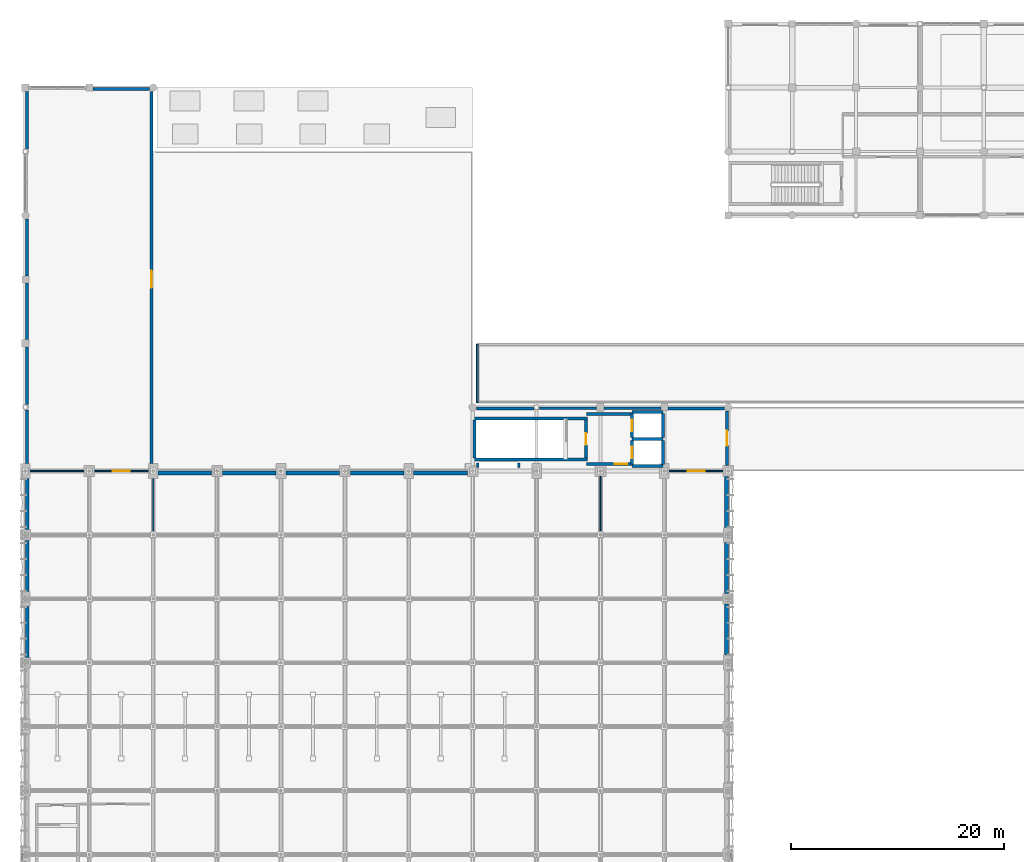
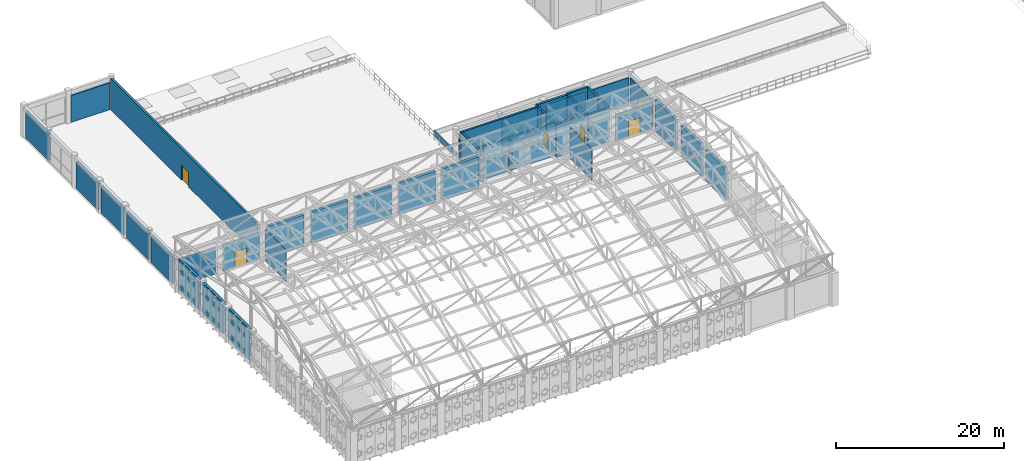
# One storey, part 93 of 112: 44 walls, 8 doors, 8 openings.
"""IFC4 building model written with IfcOpenShell, lengths in metres."""

from ifc_helpers import new_model, si_unit, direction, frame, frame_2d, origin, place, context, subcontext, project, spatial, rectangle, extrude, material, layer, layer_set, type_object, element, fill, save


model = new_model("IFC4")

# Units and contexts
model_context = context("Model", 3, precision=1e-05, world=origin(), true_north=direction((0.0, 1.0)))
body_context = subcontext(model_context, "Body", "Model", "MODEL_VIEW")
ifc_project = project(units=[si_unit("LENGTHUNIT", "METRE"), si_unit("AREAUNIT", "SQUARE_METRE"), si_unit("VOLUMEUNIT", "CUBIC_METRE"), si_unit("PLANEANGLEUNIT", "RADIAN"), si_unit("MASSUNIT", "GRAM", prefix="KILO"), si_unit("THERMODYNAMICTEMPERATUREUNIT", "KELVIN"), si_unit("POWERUNIT", "WATT")], contexts=[model_context])

# Site, building, storey
site_placement = place(None, origin())
site = spatial("IfcSite", under=ifc_project, at=site_placement, CompositionType="ELEMENT")
building_placement = place(site_placement, origin())
building = spatial("IfcBuilding", under=site, at=building_placement, Name="Phaisarnlok Congress Hotel", CompositionType="ELEMENT")
storey_placement = place(building_placement, frame((0.0, 0.0, 19.800048828125)))
storey = spatial("IfcBuildingStorey", under=building, at=storey_placement, Name="L04", CompositionType="ELEMENT", Elevation=19.800048828125)

# Walls
ifc_material_1 = material(Name="Concrete C40/50", Category="concrete")
ifc_layer_1 = layer(ifc_material_1, 0.2099609375, Name="Concrete C40/50")
ifc_layer_set_1 = layer_set([ifc_layer_1], Name="Concrete C40/50")
wall_type_1 = type_object("IfcWallType", Name="WL-EXT-210", PredefinedType="SOLIDWALL", material=ifc_layer_set_1)
wall_1_placement = place(storey_placement, frame((53.64501953125, 89.89501953125, 0.0), z_axis=(0.0, 0.0, 1.0), x_axis=(-1.0, 0.0, 0.0)))
element("IfcWall", 1, at=wall_1_placement, inside=storey, type_object=wall_type_1, Name="Exterior wall EW-07 (L04)", PredefinedType="SOLIDWALL", context=body_context, shape_type="SweptSolid", body=[
    extrude(rectangle(XDim=5.385986328125, YDim=0.2099609375, at=frame_2d((2.69287109375, 0.0))), origin(), (0.0, 0.0, 1.0), 3.909912109375),
])
ifc_layer_2 = layer(ifc_material_1, 0.22998046875, Name="Concrete C40/50")
ifc_layer_set_2 = layer_set([ifc_layer_2], Name="Concrete C40/50")
wall_type_2 = type_object("IfcWallType", Name="WL-EXT-230", PredefinedType="SOLIDWALL", material=ifc_layer_set_2)
wall_2_placement = place(storey_placement, frame((59.669921875, 89.885009765625, 0.0), z_axis=(0.0, 0.0, 1.0), x_axis=(-1.0, 0.0, 0.0)))
element("IfcWall", 2, at=wall_2_placement, inside=storey, type_object=wall_type_2, Name="Exterior wall EW-06 (L04)", PredefinedType="SOLIDWALL", context=body_context, shape_type="SweptSolid", body=[
    extrude(rectangle(XDim=5.31494140625, YDim=0.22998046875, at=frame_2d((2.657470703125, 0.0))), origin(), (0.0, 0.0, 1.0), 3.909912109375),
])
ifc_layer_3 = layer(ifc_material_1, 0.25, Name="Concrete C40/50")
ifc_layer_set_3 = layer_set([ifc_layer_3], Name="Concrete C40/50")
wall_type_3 = type_object("IfcWallType", Name="WL-EXT-250", PredefinedType="SOLIDWALL", material=ifc_layer_set_3)
wall_3_placement = place(storey_placement, frame((65.64501953125, 89.875, 0.0), z_axis=(0.0, 0.0, 1.0), x_axis=(-1.0, 0.0, 0.0)))
element("IfcWall", 3, at=wall_3_placement, inside=storey, type_object=wall_type_3, Name="Exterior wall EW-05 (L04)", PredefinedType="SOLIDWALL", context=body_context, shape_type="SweptSolid", body=[
    extrude(rectangle(XDim=5.31494140625, YDim=0.25, at=frame_2d((2.657470703125, 0.0))), origin(), (0.0, 0.0, 1.0), 3.909912109375),
])

# Wall, opening, door
ifc_layer_4 = layer(ifc_material_1, 0.27001953125, Name="Concrete C40/50")
ifc_layer_set_4 = layer_set([ifc_layer_4], Name="Concrete C40/50")
wall_type_4 = type_object("IfcWallType", Name="WL-EXT-270", PredefinedType="SOLIDWALL", material=ifc_layer_set_4)
wall_4_placement = place(storey_placement, frame((65.864990234375, 84.5048828125, 0.0), z_axis=(0.0, 0.0, 1.0), x_axis=(0.0, 1.0, 0.0)))
wall_4 = element("IfcWall", 4, at=wall_4_placement, inside=storey, type_object=wall_type_4, Name="Exterior wall EW-04 (L04)", PredefinedType="SOLIDWALL", context=body_context, shape_type="SweptSolid", body=[
    extrude(rectangle(XDim=5.14013671875, YDim=0.27001953125, at=frame_2d((2.570068359375, 0.0))), origin(), (0.0, 0.0, 1.0), 3.909912109375),
])
opening_1_placement = place(wall_4_placement, frame((1.8701171875, 0.0, 0.0)))
opening_1 = element("IfcOpeningElement", 5, at=opening_1_placement, cuts=wall_4, Name="Opening TD-07", PredefinedType="OPENING", context=body_context, shape_type="SweptSolid", body=[
    extrude(rectangle(XDim=1.39990234375, YDim=2.10009765625, at=frame_2d((0.699951171875, 1.050048828125))), frame((0.0, 0.14501953125, 0.0), z_axis=(0.0, -1.0, 0.0), x_axis=(1.0, 0.0, 0.0)), (0.0, 0.0, 1.0), 0.2900390625),
])
ifc_material_2 = material(Name="Powder-Coated Steel & Laminated Safety Glass", Category="steel")
door_type_1 = type_object("IfcDoorType", Name="DR-TER-1400", OperationType="NOTDEFINED", PredefinedType="DOOR", material=ifc_material_2)
door_1_placement = place(opening_1_placement, frame((1.39990234375, 0.0, 0.0), z_axis=(0.0, 0.0, 1.0), x_axis=(-1.0, 0.0, 0.0)))
door_1 = element("IfcDoor", 6, at=door_1_placement, inside=storey, type_object=door_type_1, Name="Outdoor terrace door TD-07 (L04)", OperationType="SINGLE_SWING_RIGHT", OverallHeight=2.10009765625, OverallWidth=1.39990234375, PredefinedType="DOOR", context=body_context, shape_type="SweptSolid", body=[
    extrude(rectangle(XDim=1.39990234375, YDim=2.10009765625, at=frame_2d((0.699951171875, 1.050048828125))), frame((0.0, 0.02490234375, 0.0), z_axis=(0.0, -1.0, 0.0), x_axis=(1.0, 0.0, 0.0)), (0.0, 0.0, 1.0), 0.050048828125),
])
fill(opening_1, door_1)

# Wall
wall_5_placement = place(storey_placement, frame((47.740966796875, 89.864990234375, 0.0), z_axis=(0.0, 0.0, 1.0), x_axis=(-1.0, 0.0, 0.0)))
element("IfcWall", 7, at=wall_5_placement, inside=storey, type_object=wall_type_4, Name="Exterior wall EW-04 (L04)", PredefinedType="SOLIDWALL", context=body_context, shape_type="SweptSolid", body=[
    extrude(rectangle(XDim=5.385986328125, YDim=0.27001953125, at=frame_2d((2.69287109375, 0.0))), origin(), (0.0, 0.0, 1.0), 3.909912109375),
])

# Wall, opening, door
ifc_layer_5 = layer(ifc_material_1, 0.2900390625, Name="Concrete C40/50")
ifc_layer_set_5 = layer_set([ifc_layer_5], Name="Concrete C40/50")
wall_type_5 = type_object("IfcWallType", Name="WL-EXT-290", PredefinedType="SOLIDWALL", material=ifc_layer_set_5)
wall_6_placement = place(storey_placement, frame((11.85498046875, 84.705078125, 0.0), z_axis=(0.0, 0.0, 1.0), x_axis=(0.0, 1.0, 0.0)))
wall_6 = element("IfcWall", 8, at=wall_6_placement, inside=storey, type_object=wall_type_5, Name="Exterior wall EW-03 (L04)", PredefinedType="SOLIDWALL", context=body_context, shape_type="SweptSolid", body=[
    extrude(rectangle(XDim=34.93994140625, YDim=0.2900390625, at=frame_2d((17.469970703125, 0.0))), origin(), (0.0, 0.0, 1.0), 4.550048828125),
])
opening_2_placement = place(wall_6_placement, frame((16.4951171875, 0.0, 0.0)))
opening_2 = element("IfcOpeningElement", 9, at=opening_2_placement, cuts=wall_6, Name="Opening TD-06", PredefinedType="OPENING", context=body_context, shape_type="SweptSolid", body=[
    extrude(rectangle(XDim=1.60009765625, YDim=2.14990234375, at=frame_2d((0.800048828125, 1.074951171875))), frame((0.0, 0.155029296875, 0.0), z_axis=(0.0, -1.0, 0.0), x_axis=(1.0, 0.0, 0.0)), (0.0, 0.0, 1.0), 0.31005859375),
])
door_type_2 = type_object("IfcDoorType", Name="DR-TER-1600", OperationType="DOUBLE_DOOR_SINGLE_SWING", PredefinedType="DOOR", material=ifc_material_2)
door_2_placement = place(opening_2_placement, frame((1.60009765625, 0.0, 0.0), z_axis=(0.0, 0.0, 1.0), x_axis=(-1.0, 0.0, 0.0)))
door_2 = element("IfcDoor", 10, at=door_2_placement, inside=storey, type_object=door_type_2, Name="Outdoor terrace door TD-06 (L04)", OperationType="SINGLE_SWING_LEFT", OverallHeight=2.14990234375, OverallWidth=1.60009765625, PredefinedType="DOOR", context=body_context, shape_type="SweptSolid", body=[
    extrude(rectangle(XDim=1.60009765625, YDim=2.14990234375, at=frame_2d((0.800048828125, 1.074951171875))), frame((0.0, 0.02490234375, 0.0), z_axis=(0.0, -1.0, 0.0), x_axis=(1.0, 0.0, 0.0)), (0.0, 0.0, 1.0), 0.050048828125),
])
fill(opening_2, door_2)

# Walls
wall_7_placement = place(storey_placement, frame((11.64501953125, 119.85498046875, 0.0), z_axis=(0.0, 0.0, 1.0), x_axis=(-1.0, 0.0, 0.0)))
element("IfcWall", 11, at=wall_7_placement, inside=storey, type_object=wall_type_5, Name="Exterior wall EW-03 (L04)", PredefinedType="SOLIDWALL", context=body_context, shape_type="SweptSolid", body=[
    extrude(rectangle(XDim=5.31494140625, YDim=0.2900390625, at=frame_2d((2.657470703125, 0.0))), origin(), (0.0, 0.0, 1.0), 3.909912109375),
])
wall_8_placement = place(storey_placement, frame((0.14501953125, 119.64501953125, 0.0), z_axis=(0.0, 0.0, 1.0), x_axis=(0.0, -1.0, 0.0)))
element("IfcWall", 12, at=wall_8_placement, inside=storey, type_object=wall_type_5, Name="Exterior wall EW-03 (L04)", PredefinedType="SOLIDWALL", context=body_context, shape_type="SweptSolid", body=[
    extrude(rectangle(XDim=5.385986328125, YDim=0.2900390625, at=frame_2d((2.69287109375, 0.0))), origin(), (0.0, 0.0, 1.0), 3.909912109375),
])
for number, where, z_axis, x_axis, name in (
    (13, (0.14501953125, 107.64501953125, 0.0), (0.0, 0.0, 1.0), (0.0, -1.0, 0.0), "Exterior wall EW-03 (L04)"),
    (14, (0.14501953125, 101.669921875, 0.0), (0.0, 0.0, 1.0), (0.0, -1.0, 0.0), "Exterior wall EW-03 (L04)"),
):
    element("IfcWall", number, at=place(storey_placement, frame(where, z_axis=z_axis, x_axis=x_axis)), inside=storey, type_object=wall_type_5, Name=name, PredefinedType="SOLIDWALL", context=body_context, shape_type="SweptSolid", body=[
        extrude(rectangle(XDim=5.31494140625, YDim=0.2900390625, at=frame_2d((2.657470703125, 0.0))), origin(), (0.0, 0.0, 1.0), 3.909912109375),
    ])
wall_9_placement = place(storey_placement, frame((0.14501953125, 95.64501953125, 0.0), z_axis=(0.0, 0.0, 1.0), x_axis=(0.0, -1.0, 0.0)))
element("IfcWall", 15, at=wall_9_placement, inside=storey, type_object=wall_type_5, Name="Exterior wall EW-03 (L04)", PredefinedType="SOLIDWALL", context=body_context, shape_type="SweptSolid", body=[
    extrude(rectangle(XDim=5.385986328125, YDim=0.2900390625, at=frame_2d((2.69287109375, 0.0))), origin(), (0.0, 0.0, 1.0), 3.909912109375),
])
wall_10_placement = place(storey_placement, frame((0.14501953125, 89.740966796875, 0.0), z_axis=(0.0, 0.0, 1.0), x_axis=(0.0, -1.0, 0.0)))
element("IfcWall", 16, at=wall_10_placement, inside=storey, type_object=wall_type_5, Name="Exterior wall EW-03 (L04)", PredefinedType="SOLIDWALL", context=body_context, shape_type="SweptSolid", body=[
    extrude(rectangle(XDim=5.035888671875, YDim=0.2900390625, at=frame_2d((2.51806640625, 0.0))), origin(), (0.0, 0.0, 1.0), 3.909912109375),
])
ifc_layer_6 = layer(ifc_material_1, 0.360107421875, Name="Concrete C40/50")
ifc_layer_set_6 = layer_set([ifc_layer_6], Name="Concrete C40/50")
wall_type_6 = type_object("IfcWallType", Name="WL-EXT-360", PredefinedType="SOLIDWALL", material=ifc_layer_set_6)
for number, where, z_axis, x_axis, name in (
    (17, (65.820068359375, 66.705078125, 0.0), (0.0, 0.0, 1.0), (0.0, 1.0, 0.0), "Exterior wall EW-01 (L04)"),
    (18, (65.820068359375, 72.5048828125, 0.0), (0.0, 0.0, 1.0), (0.0, 1.0, 0.0), "Exterior wall EW-01 (L04)"),
    (19, (65.820068359375, 78.705078125, 0.0), (0.0, 0.0, 1.0), (0.0, 1.0, 0.0), "Exterior wall EW-01 (L04)"),
):
    element("IfcWall", number, at=place(storey_placement, frame(where, z_axis=z_axis, x_axis=x_axis)), inside=storey, type_object=wall_type_6, Name=name, PredefinedType="SOLIDWALL", context=body_context, shape_type="SweptSolid", body=[
        extrude(rectangle(XDim=4.7900390625, YDim=0.360107421875, at=frame_2d((2.39501953125, 0.0))), origin(), (0.0, 0.0, 1.0), 4.550048828125),
    ])
for number, where, z_axis, x_axis, name in (
    (20, (41.4951171875, 83.820068359375, 0.0), (0.0, 0.0, 1.0), (-1.0, 0.0, 0.0), "Exterior wall EW-01 (L04)"),
    (21, (35.544921875, 83.820068359375, 0.0), (0.0, 0.0, 1.0), (-1.0, 0.0, 0.0), "Exterior wall EW-01 (L04)"),
    (22, (29.4951171875, 83.820068359375, 0.0), (0.0, 0.0, 1.0), (-1.0, 0.0, 0.0), "Exterior wall EW-01 (L04)"),
    (23, (23.544921875, 83.820068359375, 0.0), (0.0, 0.0, 1.0), (-1.0, 0.0, 0.0), "Exterior wall EW-01 (L04)"),
    (24, (17.4951171875, 83.820068359375, 0.0), (0.0, 0.0, 1.0), (-1.0, 0.0, 0.0), "Exterior wall EW-01 (L04)"),
):
    element("IfcWall", number, at=place(storey_placement, frame(where, z_axis=z_axis, x_axis=x_axis)), inside=storey, type_object=wall_type_6, Name=name, PredefinedType="SOLIDWALL", context=body_context, shape_type="SweptSolid", body=[
        extrude(rectangle(XDim=5.0400390625, YDim=0.360107421875, at=frame_2d((2.52001953125, 0.0))), origin(), (0.0, 0.0, 1.0), 4.550048828125),
    ])
for number, where, z_axis, x_axis, name in (
    (25, (0.179931640625, 83.294921875, 0.0), (0.0, 0.0, 1.0), (0.0, -1.0, 0.0), "Exterior wall EW-01 (L04)"),
    (26, (0.179931640625, 77.4951171875, 0.0), (0.0, 0.0, 1.0), (0.0, -1.0, 0.0), "Exterior wall EW-01 (L04)"),
    (27, (0.179931640625, 71.294921875, 0.0), (0.0, 0.0, 1.0), (0.0, -1.0, 0.0), "Exterior wall EW-01 (L04)"),
):
    element("IfcWall", number, at=place(storey_placement, frame(where, z_axis=z_axis, x_axis=x_axis)), inside=storey, type_object=wall_type_6, Name=name, PredefinedType="SOLIDWALL", context=body_context, shape_type="SweptSolid", body=[
        extrude(rectangle(XDim=4.7900390625, YDim=0.360107421875, at=frame_2d((2.39501953125, 0.0))), origin(), (0.0, 0.0, 1.0), 4.550048828125),
    ])
ifc_material_3 = material(Name="Lightweight Metal-Stud Gypsum Partition", Category="gypsum")
ifc_layer_7 = layer(ifc_material_3, 0.1201171875, Name="Lightweight Metal-Stud Gypsum Partition")
ifc_layer_set_7 = layer_set([ifc_layer_7], Name="Lightweight Metal-Stud Gypsum Partition")
wall_type_7 = type_object("IfcWallType", Name="WL-INT-120", PredefinedType="PARTITIONING", material=ifc_layer_set_7)
wall_11_placement = place(storey_placement, frame((12.0, 78.3701171875, 0.0), z_axis=(0.0, 0.0, 1.0), x_axis=(0.0, 1.0, 0.0)))
element("IfcWall", 28, at=wall_11_placement, inside=storey, type_object=wall_type_7, Name="Interior partition wall IW-07 (L04)", PredefinedType="PARTITIONING", context=body_context, shape_type="SweptSolid", body=[
    extrude(rectangle(XDim=4.9248046875, YDim=0.1201171875, at=frame_2d((2.46240234375, 0.0))), origin(), (0.0, 0.0, 1.0), 4.550048828125),
])
wall_12_placement = place(storey_placement, frame((54.0, 78.3701171875, 0.0), z_axis=(0.0, 0.0, 1.0), x_axis=(0.0, 1.0, 0.0)))
element("IfcWall", 29, at=wall_12_placement, inside=storey, type_object=wall_type_7, Name="Interior partition wall IW-07 (L04)", PredefinedType="PARTITIONING", context=body_context, shape_type="SweptSolid", body=[
    extrude(rectangle(XDim=5.125, YDim=0.1201171875, at=frame_2d((2.5625, 0.0))), origin(), (0.0, 0.0, 1.0), 4.550048828125),
])

# Wall, opening, door
wall_13_placement = place(storey_placement, frame((6.5048828125, 84.0, 0.0), z_axis=(0.0, 0.0, 1.0), x_axis=(1.0, 0.0, 0.0)))
wall_13 = element("IfcWall", 30, at=wall_13_placement, inside=storey, type_object=wall_type_7, Name="Interior partition wall IW-07 (L04)", PredefinedType="PARTITIONING", context=body_context, shape_type="SweptSolid", body=[
    extrude(rectangle(XDim=5.0400390625, YDim=0.1201171875, at=frame_2d((2.52001953125, 0.0))), origin(), (0.0, 0.0, 1.0), 3.909912109375),
])
opening_3_placement = place(wall_13_placement, frame((1.695068359375, 0.0, 0.0)))
opening_3 = element("IfcOpeningElement", 31, at=opening_3_placement, cuts=wall_13, Name="Opening D-0128", PredefinedType="OPENING", context=body_context, shape_type="SweptSolid", body=[
    extrude(rectangle(XDim=1.60009765625, YDim=2.25, at=frame_2d((0.800048828125, 1.125))), frame((0.0, 0.070068359375, 0.0), z_axis=(0.0, -1.0, 0.0), x_axis=(1.0, 0.0, 0.0)), (0.0, 0.0, 1.0), 0.14013671875),
])
ifc_material_4 = material(Name="Frameless Tempered Acoustic Glass", Category="glass")
door_type_3 = type_object("IfcDoorType", Name="DR-GLZ-1600", OperationType="DOUBLE_DOOR_SINGLE_SWING", PredefinedType="DOOR", material=ifc_material_4)
door_3_placement = place(opening_3_placement, origin())
door_3 = element("IfcDoor", 32, at=door_3_placement, inside=storey, type_object=door_type_3, Name="Interior door D-0128 (L04)", OperationType="DOUBLE_DOOR_SINGLE_SWING", OverallHeight=2.25, OverallWidth=1.60009765625, PredefinedType="DOOR", context=body_context, shape_type="SweptSolid", body=[
    extrude(rectangle(XDim=1.60009765625, YDim=2.25, at=frame_2d((0.800048828125, 1.125))), frame((0.0, 0.02490234375, 0.0), z_axis=(0.0, -1.0, 0.0), x_axis=(1.0, 0.0, 0.0)), (0.0, 0.0, 1.0), 0.050048828125),
])
fill(opening_3, door_3)

# Wall
ifc_material_5 = material(Name="Moisture-Resistant Gypsum Partition", Category="gypsum")
ifc_layer_8 = layer(ifc_material_5, 0.135009765625, Name="Moisture-Resistant Gypsum Partition")
ifc_layer_set_8 = layer_set([ifc_layer_8], Name="Moisture-Resistant Gypsum Partition")
wall_type_8 = type_object("IfcWallType", Name="WL-INT-135", PredefinedType="PARTITIONING", material=ifc_layer_set_8)
wall_14_placement = place(storey_placement, frame((0.455078125, 84.0, 0.0), z_axis=(0.0, 0.0, 1.0), x_axis=(1.0, 0.0, 0.0)))
element("IfcWall", 33, at=wall_14_placement, inside=storey, type_object=wall_type_8, Name="Interior partition wall IW-06 (L04)", PredefinedType="PARTITIONING", context=body_context, shape_type="SweptSolid", body=[
    extrude(rectangle(XDim=5.0400390625, YDim=0.135009765625, at=frame_2d((2.52001953125, 0.0))), origin(), (0.0, 0.0, 1.0), 3.909912109375),
])

# Wall, opening, door
wall_15_placement = place(storey_placement, frame((60.455078125, 84.0, 0.0), z_axis=(0.0, 0.0, 1.0), x_axis=(1.0, 0.0, 0.0)))
wall_15 = element("IfcWall", 34, at=wall_15_placement, inside=storey, type_object=wall_type_8, Name="Interior partition wall IW-06 (L04)", PredefinedType="PARTITIONING", context=body_context, shape_type="SweptSolid", body=[
    extrude(rectangle(XDim=5.0400390625, YDim=0.135009765625, at=frame_2d((2.52001953125, 0.0))), origin(), (0.0, 0.0, 1.0), 3.909912109375),
])
opening_4_placement = place(wall_15_placement, frame((1.7451171875, 0.0, 0.0)))
opening_4 = element("IfcOpeningElement", 35, at=opening_4_placement, cuts=wall_15, Name="Opening D-0129", PredefinedType="OPENING", context=body_context, shape_type="SweptSolid", body=[
    extrude(rectangle(XDim=1.60009765625, YDim=2.25, at=frame_2d((0.800048828125, 1.125))), frame((0.0, 0.07763671875, 0.0), z_axis=(0.0, -1.0, 0.0), x_axis=(1.0, 0.0, 0.0)), (0.0, 0.0, 1.0), 0.155029296875),
])
door_4_placement = place(opening_4_placement, origin())
door_4 = element("IfcDoor", 36, at=door_4_placement, inside=storey, type_object=door_type_3, Name="Interior door D-0129 (L04)", OperationType="DOUBLE_DOOR_SINGLE_SWING", OverallHeight=2.25, OverallWidth=1.60009765625, PredefinedType="DOOR", context=body_context, shape_type="SweptSolid", body=[
    extrude(rectangle(XDim=1.60009765625, YDim=2.25, at=frame_2d((0.800048828125, 1.125))), frame((0.0, 0.02490234375, 0.0), z_axis=(0.0, -1.0, 0.0), x_axis=(1.0, 0.0, 0.0)), (0.0, 0.0, 1.0), 0.050048828125),
])
fill(opening_4, door_4)

# Walls
ifc_layer_9 = layer(ifc_material_1, 0.169921875, Name="Concrete C40/50")
ifc_layer_set_9 = layer_set([ifc_layer_9], Name="Concrete C40/50")
wall_type_9 = type_object("IfcWallType", Name="WL-PAR-170", PredefinedType="PARAPET", material=ifc_layer_set_9)
wall_16_placement = place(storey_placement, frame((42.429931640625, 95.909912109375, 0.0), z_axis=(0.0, 0.0, 1.0), x_axis=(0.0, -1.0, 0.0)))
element("IfcWall", 37, at=wall_16_placement, inside=storey, type_object=wall_type_9, Name="Podium roof parapet WP-02 (L04)", PredefinedType="PARAPET", context=body_context, shape_type="SweptSolid", body=[
    extrude(rectangle(XDim=5.47998046875, YDim=0.169921875, at=frame_2d((2.739990234375, 0.0))), origin(), (0.0, 0.0, 1.0), 0.64990234375),
])
ifc_material_6 = material(Name="Concrete C50/60", Category="concrete")
ifc_layer_10 = layer(ifc_material_6, 0.260009765625, Name="Concrete C50/60")
ifc_layer_set_10 = layer_set([ifc_layer_10], Name="Concrete C50/60")
wall_type_10 = type_object("IfcWallType", Name="WL-SHR-260", PredefinedType="SHEAR", material=ifc_layer_set_10)
for number, where, z_axis, x_axis, name in (
    (38, (42.0400390625, 85.070068359375, 0.0), (0.0, 0.0, 1.0), (1.0, 0.0, 0.0), "Stair shaft shear wall SW-04 (CORE-5 L04)"),
    (39, (42.0400390625, 88.929931640625, 0.0), (0.0, 0.0, 1.0), (1.0, 0.0, 0.0), "Stair shaft shear wall SW-04 (CORE-5 L04)"),
):
    element("IfcWall", number, at=place(storey_placement, frame(where, z_axis=z_axis, x_axis=x_axis)), inside=storey, type_object=wall_type_10, Name=name, PredefinedType="SHEAR", context=body_context, shape_type="SweptSolid", body=[
        extrude(rectangle(XDim=10.719970703125, YDim=0.260009765625, at=frame_2d((5.35986328125, 0.0))), origin(), (0.0, 0.0, 1.0), 4.800048828125),
    ])

# Wall, opening, door
wall_17_placement = place(storey_placement, frame((52.6298828125, 85.199951171875, 0.0), z_axis=(0.0, 0.0, 1.0), x_axis=(0.0, 1.0, 0.0)))
wall_17 = element("IfcWall", 40, at=wall_17_placement, inside=storey, type_object=wall_type_10, Name="Stair shaft shear wall SW-04 (CORE-5 L04)", PredefinedType="SHEAR", context=body_context, shape_type="SweptSolid", body=[
    extrude(rectangle(XDim=3.60009765625, YDim=0.260009765625, at=frame_2d((1.800048828125, 0.0))), origin(), (0.0, 0.0, 1.0), 4.800048828125),
])
opening_5_placement = place(wall_17_placement, frame((1.25, 0.0, 0.0)))
opening_5 = element("IfcOpeningElement", 41, at=opening_5_placement, cuts=wall_17, Name="Opening FD-126", PredefinedType="OPENING", context=body_context, shape_type="SweptSolid", body=[
    extrude(rectangle(XDim=1.10009765625, YDim=2.14990234375, at=frame_2d((0.550048828125, 1.074951171875))), frame((0.0, 0.14013671875, 0.0), z_axis=(0.0, -1.0, 0.0), x_axis=(1.0, 0.0, 0.0)), (0.0, 0.0, 1.0), 0.280029296875),
])
ifc_material_7 = material(Name="Fire-Rated Steel Frame & Timber Leaf", Category="steel")
door_type_4 = type_object("IfcDoorType", Name="DR-FD60-1100", OperationType="NOTDEFINED", PredefinedType="DOOR", material=ifc_material_7)
door_5_placement = place(opening_5_placement, origin())
door_5 = element("IfcDoor", 42, at=door_5_placement, inside=storey, type_object=door_type_4, Name="Stair enclosure fire door FD-126 (L04)", OperationType="SINGLE_SWING_LEFT", OverallHeight=2.14990234375, OverallWidth=1.10009765625, PredefinedType="DOOR", context=body_context, shape_type="SweptSolid", body=[
    extrude(rectangle(XDim=1.10009765625, YDim=2.14990234375, at=frame_2d((0.550048828125, 1.074951171875))), frame((0.0, 0.02490234375, 0.0), z_axis=(0.0, -1.0, 0.0), x_axis=(1.0, 0.0, 0.0)), (0.0, 0.0, 1.0), 0.050048828125),
])
fill(opening_5, door_5)

# Walls
wall_18_placement = place(storey_placement, frame((56.969970703125, 84.469970703125, 0.0), z_axis=(0.0, 0.0, 1.0), x_axis=(1.0, 0.0, 0.0)))
element("IfcWall", 43, at=wall_18_placement, inside=storey, type_object=wall_type_10, Name="Lift shaft shear wall SW-04 (LF-CP1 L04)", PredefinedType="SHEAR", context=body_context, shape_type="SweptSolid", body=[
    extrude(rectangle(XDim=2.909912109375, YDim=0.260009765625, at=frame_2d((1.455078125, 0.0))), origin(), (0.0, 0.0, 1.0), 4.800048828125),
])
wall_19_placement = place(storey_placement, frame((59.8798828125, 84.60009765625, 0.0), z_axis=(0.0, 0.0, 1.0), x_axis=(0.0, 1.0, 0.0)))
element("IfcWall", 44, at=wall_19_placement, inside=storey, type_object=wall_type_10, Name="Lift shaft shear wall SW-04 (LF-CP1 L04)", PredefinedType="SHEAR", context=body_context, shape_type="SweptSolid", body=[
    extrude(rectangle(XDim=2.25, YDim=0.260009765625, at=frame_2d((1.125, 0.0))), origin(), (0.0, 0.0, 1.0), 4.800048828125),
])

# Wall, opening, door
wall_20_placement = place(storey_placement, frame((56.969970703125, 84.60009765625, 0.0), z_axis=(0.0, 0.0, 1.0), x_axis=(0.0, 1.0, 0.0)))
wall_20 = element("IfcWall", 45, at=wall_20_placement, inside=storey, type_object=wall_type_10, Name="Lift shaft front wall SW-04 (LF-CP1 L04)", PredefinedType="SHEAR", context=body_context, shape_type="SweptSolid", body=[
    extrude(rectangle(XDim=2.25, YDim=0.260009765625, at=frame_2d((1.125, 0.0))), origin(), (0.0, 0.0, 1.0), 4.800048828125),
])
opening_6_placement = place(wall_20_placement, frame((0.574951171875, 0.0, 0.0)))
opening_6 = element("IfcOpeningElement", 46, at=opening_6_placement, cuts=wall_20, Name="Opening LD-111", PredefinedType="OPENING", context=body_context, shape_type="SweptSolid", body=[
    extrude(rectangle(XDim=1.10009765625, YDim=2.199951171875, at=frame_2d((0.550048828125, 1.10009765625))), frame((0.0, 0.14013671875, 0.0), z_axis=(0.0, -1.0, 0.0), x_axis=(1.0, 0.0, 0.0)), (0.0, 0.0, 1.0), 0.280029296875),
])
ifc_material_8 = material(Name="Brushed Stainless Steel Grade 304", Category="steel")
door_type_5 = type_object("IfcDoorType", Name="DR-LD-1100", OperationType="DOUBLE_DOOR_SLIDING", PredefinedType="DOOR", material=ifc_material_8)
door_6_placement = place(opening_6_placement, origin())
door_6 = element("IfcDoor", 47, at=door_6_placement, inside=storey, type_object=door_type_5, Name="Lift landing sliding door LD-111 (LF-CP1 L04)", OperationType="DOUBLE_DOOR_SLIDING", OverallHeight=2.199951171875, OverallWidth=1.10009765625, PredefinedType="DOOR", context=body_context, shape_type="SweptSolid", body=[
    extrude(rectangle(XDim=1.10009765625, YDim=2.199951171875, at=frame_2d((0.550048828125, 1.10009765625))), frame((0.0, 0.02490234375, 0.0), z_axis=(0.0, -1.0, 0.0), x_axis=(1.0, 0.0, 0.0)), (0.0, 0.0, 1.0), 0.050048828125),
])
fill(opening_6, door_6)

# Walls
wall_21_placement = place(storey_placement, frame((56.969970703125, 89.530029296875, 0.0), z_axis=(0.0, 0.0, 1.0), x_axis=(1.0, 0.0, 0.0)))
element("IfcWall", 48, at=wall_21_placement, inside=storey, type_object=wall_type_10, Name="Lift shaft shear wall SW-04 (LF-SP1 L04)", PredefinedType="SHEAR", context=body_context, shape_type="SweptSolid", body=[
    extrude(rectangle(XDim=2.909912109375, YDim=0.260009765625, at=frame_2d((1.455078125, 0.0))), origin(), (0.0, 0.0, 1.0), 4.800048828125),
])
wall_22_placement = place(storey_placement, frame((59.8798828125, 87.14990234375, 0.0), z_axis=(0.0, 0.0, 1.0), x_axis=(0.0, 1.0, 0.0)))
element("IfcWall", 49, at=wall_22_placement, inside=storey, type_object=wall_type_10, Name="Lift shaft shear wall SW-04 (LF-SP1 L04)", PredefinedType="SHEAR", context=body_context, shape_type="SweptSolid", body=[
    extrude(rectangle(XDim=2.25, YDim=0.260009765625, at=frame_2d((1.125, 0.0))), origin(), (0.0, 0.0, 1.0), 4.800048828125),
])

# Wall, opening, door
wall_23_placement = place(storey_placement, frame((56.969970703125, 87.14990234375, 0.0), z_axis=(0.0, 0.0, 1.0), x_axis=(0.0, 1.0, 0.0)))
wall_23 = element("IfcWall", 50, at=wall_23_placement, inside=storey, type_object=wall_type_10, Name="Lift shaft front wall SW-04 (LF-SP1 L04)", PredefinedType="SHEAR", context=body_context, shape_type="SweptSolid", body=[
    extrude(rectangle(XDim=2.25, YDim=0.260009765625, at=frame_2d((1.125, 0.0))), origin(), (0.0, 0.0, 1.0), 4.800048828125),
])
opening_7_placement = place(wall_23_placement, frame((0.574951171875, 0.0, 0.0)))
opening_7 = element("IfcOpeningElement", 51, at=opening_7_placement, cuts=wall_23, Name="Opening LD-117", PredefinedType="OPENING", context=body_context, shape_type="SweptSolid", body=[
    extrude(rectangle(XDim=1.10009765625, YDim=2.199951171875, at=frame_2d((0.550048828125, 1.10009765625))), frame((0.0, 0.14013671875, 0.0), z_axis=(0.0, -1.0, 0.0), x_axis=(1.0, 0.0, 0.0)), (0.0, 0.0, 1.0), 0.280029296875),
])
door_7_placement = place(opening_7_placement, origin())
door_7 = element("IfcDoor", 52, at=door_7_placement, inside=storey, type_object=door_type_5, Name="Lift landing sliding door LD-117 (LF-SP1 L04)", OperationType="DOUBLE_DOOR_SLIDING", OverallHeight=2.199951171875, OverallWidth=1.10009765625, PredefinedType="DOOR", context=body_context, shape_type="SweptSolid", body=[
    extrude(rectangle(XDim=1.10009765625, YDim=2.199951171875, at=frame_2d((0.550048828125, 1.10009765625))), frame((0.0, 0.02490234375, 0.0), z_axis=(0.0, -1.0, 0.0), x_axis=(1.0, 0.0, 0.0)), (0.0, 0.0, 1.0), 0.050048828125),
])
fill(opening_7, door_7)

# Walls
for number, where, z_axis, x_axis, name in (
    (53, (42.469970703125, 84.330078125, 0.0), (0.0, 0.0, 1.0), (0.0, 1.0, 0.0), "Service riser shaft wall SW-04 (CORE-5 L04)"),
    (54, (46.330078125, 84.330078125, 0.0), (0.0, 0.0, 1.0), (0.0, 1.0, 0.0), "Service riser shaft wall SW-04 (CORE-5 L04)"),
):
    element("IfcWall", number, at=place(storey_placement, frame(where, z_axis=z_axis, x_axis=x_axis)), inside=storey, type_object=wall_type_10, Name=name, PredefinedType="SHEAR", context=body_context, shape_type="SweptSolid", body=[
        extrude(rectangle(XDim=0.43994140625, YDim=0.260009765625, at=frame_2d((0.219970703125, 0.0))), origin(), (0.0, 0.0, 1.0), 4.800048828125),
    ])
ifc_layer_11 = layer(ifc_material_6, 0.260009765625, Name="Concrete C50/60")
ifc_layer_set_11 = layer_set([ifc_layer_11], Name="Concrete C50/60")
wall_type_11 = type_object("IfcWallType", Name="WL-SHR-260-EXT", PredefinedType="SHEAR", material=ifc_layer_set_11)
wall_24_placement = place(storey_placement, frame((42.169921875, 85.199951171875, 0.0), z_axis=(0.0, 0.0, 1.0), x_axis=(0.0, 1.0, 0.0)))
element("IfcWall", 55, at=wall_24_placement, inside=storey, type_object=wall_type_11, Name="Stair shaft shear wall SW-04E (CORE-5 L04)", PredefinedType="SHEAR", context=body_context, shape_type="SweptSolid", body=[
    extrude(rectangle(XDim=3.60009765625, YDim=0.260009765625, at=frame_2d((1.800048828125, 0.0))), origin(), (0.0, 0.0, 1.0), 4.800048828125),
])
ifc_layer_12 = layer(ifc_material_6, 0.300048828125, Name="Concrete C50/60")
ifc_layer_set_12 = layer_set([ifc_layer_12], Name="Concrete C50/60")
wall_type_12 = type_object("IfcWallType", Name="WL-SHR-300", PredefinedType="SHEAR", material=ifc_layer_set_12)
wall_25_placement = place(storey_placement, frame((56.969970703125, 87.0, 0.0), z_axis=(0.0, 0.0, 1.0), x_axis=(1.0, 0.0, 0.0)))
element("IfcWall", 56, at=wall_25_placement, inside=storey, type_object=wall_type_12, Name="Lift shaft divider shear wall SW-03 (LF-CP1 L04)", PredefinedType="SHEAR", context=body_context, shape_type="SweptSolid", body=[
    extrude(rectangle(XDim=2.909912109375, YDim=0.300048828125, at=frame_2d((1.455078125, 0.0))), origin(), (0.0, 0.0, 1.0), 4.800048828125),
])
wall_26_placement = place(storey_placement, frame((52.679931640625, 89.35009765625, 0.0), z_axis=(0.0, 0.0, 1.0), x_axis=(1.0, 0.0, 0.0)))
element("IfcWall", 57, at=wall_26_placement, inside=storey, type_object=wall_type_12, Name="Core lobby EI-120 wall SW-03 (CORE-5 L04)", PredefinedType="SHEAR", context=body_context, shape_type="SweptSolid", body=[
    extrude(rectangle(XDim=4.239990234375, YDim=0.300048828125, at=frame_2d((2.1201171875, 0.0))), origin(), (0.0, 0.0, 1.0), 4.800048828125),
])

# Wall, opening, door
wall_27_placement = place(storey_placement, frame((52.679931640625, 84.64990234375, 0.0), z_axis=(0.0, 0.0, 1.0), x_axis=(1.0, 0.0, 0.0)))
wall_27 = element("IfcWall", 58, at=wall_27_placement, inside=storey, type_object=wall_type_12, Name="Core lobby EI-120 wall SW-03 (CORE-5 L04)", PredefinedType="SHEAR", context=body_context, shape_type="SweptSolid", body=[
    extrude(rectangle(XDim=4.239990234375, YDim=0.300048828125, at=frame_2d((2.1201171875, 0.0))), origin(), (0.0, 0.0, 1.0), 4.800048828125),
])
opening_8_placement = place(wall_27_placement, frame((2.64990234375, 0.0, 0.0)))
opening_8 = element("IfcOpeningElement", 59, at=opening_8_placement, cuts=wall_27, Name="Opening FD-132", PredefinedType="OPENING", context=body_context, shape_type="SweptSolid", body=[
    extrude(rectangle(XDim=1.199951171875, YDim=2.199951171875, at=frame_2d((0.60009765625, 1.10009765625))), frame((0.0, 0.16015625, 0.0), z_axis=(0.0, -1.0, 0.0), x_axis=(1.0, 0.0, 0.0)), (0.0, 0.0, 1.0), 0.320068359375),
])
door_type_6 = type_object("IfcDoorType", Name="DR-FD60-1200", OperationType="NOTDEFINED", PredefinedType="DOOR", material=ifc_material_7)
door_8_placement = place(opening_8_placement, origin())
door_8 = element("IfcDoor", 60, at=door_8_placement, inside=storey, type_object=door_type_6, Name="Firefighting lobby entrance door FD-132 (CORE-5 L04)", OperationType="SINGLE_SWING_LEFT", OverallHeight=2.199951171875, OverallWidth=1.199951171875, PredefinedType="DOOR", context=body_context, shape_type="SweptSolid", body=[
    extrude(rectangle(XDim=1.199951171875, YDim=2.199951171875, at=frame_2d((0.60009765625, 1.10009765625))), frame((0.0, 0.02490234375, 0.0), z_axis=(0.0, -1.0, 0.0), x_axis=(1.0, 0.0, 0.0)), (0.0, 0.0, 1.0), 0.050048828125),
])
fill(opening_8, door_8)

save(model, "model.ifc")
